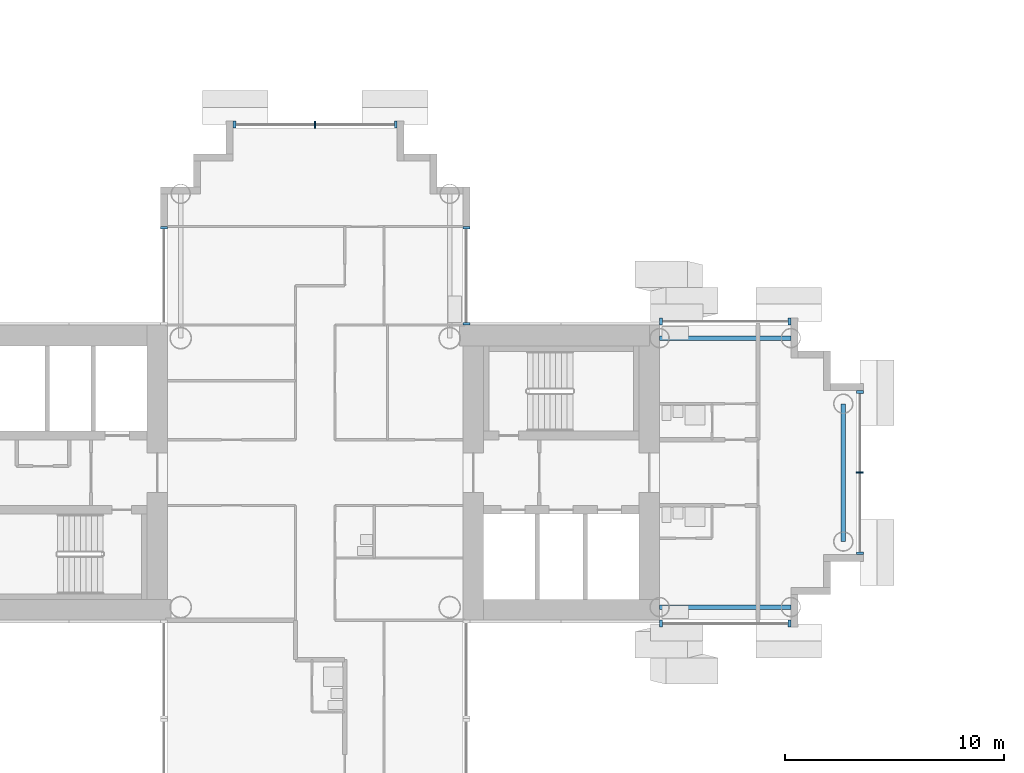
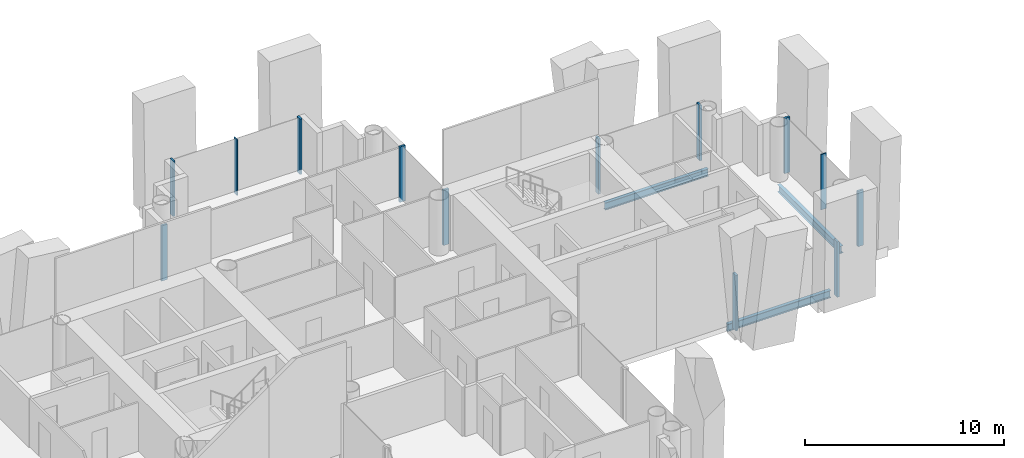
# One storey, part 4 of 20: 13 members, 3 beams, 6 elements without a shape of their own.
"""IFC4 building model written with IfcOpenShell, lengths in metres."""

from ifc_helpers import new_model, si_unit, direction, frame, origin, origin_2d, place, context, subcontext, project, spatial, rectangle, i_section, extrude, material, layer, layer_set, material_profile, profile_set, type_object, element, aggregate, save


model = new_model("IFC4")

# Units and contexts
model_context = context("Model", 3, precision=1e-05, world=origin(), true_north=direction((0.0, 1.0)))
body_context = subcontext(model_context, "Body", "Model", "MODEL_VIEW")
ifc_project = project(units=[si_unit("LENGTHUNIT", "METRE"), si_unit("AREAUNIT", "SQUARE_METRE"), si_unit("VOLUMEUNIT", "CUBIC_METRE"), si_unit("PLANEANGLEUNIT", "RADIAN"), si_unit("MASSUNIT", "GRAM", prefix="KILO")], contexts=[model_context])

# Site, building, storey
site_placement = place(None, origin())
site = spatial("IfcSite", under=ifc_project, at=site_placement, CompositionType="ELEMENT")
building_placement = place(site_placement, origin())
building = spatial("IfcBuilding", under=site, at=building_placement, Name="Ipe Terrace Towers", CompositionType="ELEMENT")
storey_placement = place(building_placement, frame((0.0, 0.0, 100.39990234375)))
storey = spatial("IfcBuildingStorey", under=building, at=storey_placement, Name="L27", CompositionType="ELEMENT", Elevation=100.39990234375)

# Beams
ifc_material_1 = material(Name="Steel S355", Category="steel")
ifc_material_profile_1 = material_profile(ifc_material_1, i_section(OverallWidth=0.199951171875, OverallDepth=0.449951171875, WebThickness=0.009033203125, FlangeThickness=0.013916015625, at=origin_2d()), Name="H-450x200x9x14")
ifc_profile_set_1 = profile_set([ifc_material_profile_1], Name="Steel S355")
beam_type = type_object("IfcBeamType", Name="H08 EDGE BEAM H-450x200x9x14", PredefinedType="BEAM", material=ifc_profile_set_1)
for number, where, z_axis, x_axis, name in (
    (1, (-20.25, -6.14990234375, -0.625), (1.0, 0.0, 0.0), (0.0, 1.0, 0.0), "Edge beam T1-EB-A01-A03"),
    (2, (-20.25, 6.14990234375, -0.625), (1.0, 0.0, 0.0), (0.0, 1.0, 0.0), "Edge beam T1-EB-A02-A04"),
):
    element("IfcBeam", number, at=place(storey_placement, frame(where, z_axis=z_axis, x_axis=x_axis)), inside=storey, type_object=beam_type, Name=name, PredefinedType="BEAM", context=body_context, shape_type="SweptSolid", body=[
        extrude(i_section(OverallWidth=0.199951171875, OverallDepth=0.449951171875, WebThickness=0.009033203125, FlangeThickness=0.013916015625, at=origin_2d()), origin(), (0.0, 0.0, 1.0), 6.0),
    ])
beam_placement = place(storey_placement, frame((-11.85009765625, -3.14990234375, -0.625), z_axis=(0.0, 1.0, 0.0), x_axis=(-1.0, 0.0, 0.0)))
element("IfcBeam", 3, at=beam_placement, inside=storey, type_object=beam_type, Name="Edge beam T1-EB-A05-A06", PredefinedType="BEAM", context=body_context, shape_type="SweptSolid", body=[
    extrude(i_section(OverallWidth=0.199951171875, OverallDepth=0.449951171875, WebThickness=0.009033203125, FlangeThickness=0.013916015625, at=origin_2d()), origin(), (0.0, 0.0, 1.0), 6.2998046875),
])

# Curtain wall, members
ifc_material_2 = material(Name="Aluminium alloy 6063-T6", Category="aluminium")
ifc_layer = layer(ifc_material_2, 0.320068359375)
ifc_layer_set = layer_set([ifc_layer], Name="TOWER UNITISED CURTAIN WALL")
curtain_wall_type = type_object("IfcCurtainWallType", Name="TOWER UNITISED CURTAIN WALL", PredefinedType="NOTDEFINED", material=ifc_layer_set)
curtain_wall_1_placement = place(storey_placement, origin())
curtain_wall_1 = element("IfcCurtainWall", 4, at=curtain_wall_1_placement, inside=storey, type_object=curtain_wall_type, Name="T1-CW-L27-20b curtain wall", PredefinedType="NOTDEFINED")
ifc_material_3 = material(Name="Aluminium alloy 6063-T6", Category="aluminium")
ifc_material_profile_2 = material_profile(ifc_material_3, rectangle(XDim=0.320068359375, YDim=0.1201171875, at=origin_2d()), Name="TOWER UNITISED CORNER MULLION 320 x 120")
ifc_profile_set_2 = profile_set([ifc_material_profile_2], Name="Aluminium alloy 6063-T6")
member_type_1 = type_object("IfcMemberType", Name="TOWER UNITISED CORNER MULLION 320 x 120", PredefinedType="MULLION", material=ifc_profile_set_2)
member_1_placement = place(storey_placement, frame((-20.18896484375, -6.909912109375, -0.2998046875), z_axis=(0.0, 0.0, 1.0), x_axis=(0.0, -1.0, 0.0)))
member_1 = element("IfcMember", 5, at=member_1_placement, type_object=member_type_1, Name="T1-CW-L27-20b mullion 1", PredefinedType="MULLION", context=body_context, shape_type="SweptSolid", body=[
    extrude(rectangle(XDim=0.320068359375, YDim=0.1201171875, at=origin_2d()), origin(), (0.0, 0.0, 1.0), 3.39990234375),
])
member_2_placement = place(storey_placement, frame((-14.31005859375, -6.909912109375, -0.2998046875), z_axis=(0.0, 0.0, 1.0), x_axis=(0.0, -1.0, 0.0)))
member_2 = element("IfcMember", 6, at=member_2_placement, type_object=member_type_1, Name="T1-CW-L27-20b mullion 2", PredefinedType="MULLION", context=body_context, shape_type="SweptSolid", body=[
    extrude(rectangle(XDim=0.320068359375, YDim=0.1201171875, at=origin_2d()), origin(), (0.0, 0.0, 1.0), 3.39990234375),
])
aggregate(curtain_wall_1, [member_1, member_2])

curtain_wall_2_placement = place(storey_placement, origin())
curtain_wall_2 = element("IfcCurtainWall", 7, at=curtain_wall_2_placement, inside=storey, type_object=curtain_wall_type, Name="T1-CW-L27-25a curtain wall", PredefinedType="NOTDEFINED")
member_3_placement = place(storey_placement, frame((-11.090087890625, -3.68994140625, -0.2998046875), z_axis=(0.0, 0.0, 1.0), x_axis=(1.0, 0.0, 0.0)))
member_3 = element("IfcMember", 8, at=member_3_placement, type_object=member_type_1, Name="T1-CW-L27-25a mullion 1", PredefinedType="MULLION", context=body_context, shape_type="SweptSolid", body=[
    extrude(rectangle(XDim=0.320068359375, YDim=0.1201171875, at=origin_2d()), origin(), (0.0, 0.0, 1.0), 3.39990234375),
])
member_4_placement = place(storey_placement, frame((-11.090087890625, 3.68994140625, -0.2998046875), z_axis=(0.0, 0.0, 1.0), x_axis=(1.0, 0.0, 0.0)))
member_4 = element("IfcMember", 9, at=member_4_placement, type_object=member_type_1, Name="T1-CW-L27-25a mullion 3", PredefinedType="MULLION", context=body_context, shape_type="SweptSolid", body=[
    extrude(rectangle(XDim=0.320068359375, YDim=0.1201171875, at=origin_2d()), origin(), (0.0, 0.0, 1.0), 3.39990234375),
])

curtain_wall_3_placement = place(storey_placement, origin())
curtain_wall_3 = element("IfcCurtainWall", 10, at=curtain_wall_3_placement, inside=storey, type_object=curtain_wall_type, Name="T1-CW-L27-30a curtain wall", PredefinedType="NOTDEFINED")
member_5_placement = place(storey_placement, frame((-14.31005859375, 6.909912109375, -0.2998046875), z_axis=(0.0, 0.0, 1.0), x_axis=(0.0, 1.0, 0.0)))
member_5 = element("IfcMember", 11, at=member_5_placement, type_object=member_type_1, Name="T1-CW-L27-30a mullion 1", PredefinedType="MULLION", context=body_context, shape_type="SweptSolid", body=[
    extrude(rectangle(XDim=0.320068359375, YDim=0.1201171875, at=origin_2d()), origin(), (0.0, 0.0, 1.0), 3.39990234375),
])
member_6_placement = place(storey_placement, frame((-20.18896484375, 6.909912109375, -0.2998046875), z_axis=(0.0, 0.0, 1.0), x_axis=(0.0, 1.0, 0.0)))
member_6 = element("IfcMember", 12, at=member_6_placement, type_object=member_type_1, Name="T1-CW-L27-30a mullion 2", PredefinedType="MULLION", context=body_context, shape_type="SweptSolid", body=[
    extrude(rectangle(XDim=0.320068359375, YDim=0.1201171875, at=origin_2d()), origin(), (0.0, 0.0, 1.0), 3.39990234375),
])
aggregate(curtain_wall_3, [member_5, member_6])

curtain_wall_4_placement = place(storey_placement, origin())
curtain_wall_4 = element("IfcCurtainWall", 13, at=curtain_wall_4_placement, inside=storey, type_object=curtain_wall_type, Name="T1-CW-L27-32a curtain wall", PredefinedType="NOTDEFINED")
member_7_placement = place(storey_placement, frame((-29.090087890625, 6.81005859375, -0.2998046875), z_axis=(0.0, 0.0, 1.0), x_axis=(1.0, 0.0, 0.0)))
member_7 = element("IfcMember", 14, at=member_7_placement, type_object=member_type_1, Name="T1-CW-L27-32a mullion 1", PredefinedType="MULLION", context=body_context, shape_type="SweptSolid", body=[
    extrude(rectangle(XDim=0.320068359375, YDim=0.1201171875, at=origin_2d()), origin(), (0.0, 0.0, 1.0), 3.39990234375),
])
member_8_placement = place(storey_placement, frame((-29.090087890625, 11.18994140625, -0.2998046875), z_axis=(0.0, 0.0, 1.0), x_axis=(1.0, 0.0, 0.0)))
member_8 = element("IfcMember", 15, at=member_8_placement, type_object=member_type_1, Name="T1-CW-L27-32a mullion 2", PredefinedType="MULLION", context=body_context, shape_type="SweptSolid", body=[
    extrude(rectangle(XDim=0.320068359375, YDim=0.1201171875, at=origin_2d()), origin(), (0.0, 0.0, 1.0), 3.39990234375),
])
aggregate(curtain_wall_4, [member_7, member_8])

curtain_wall_5_placement = place(storey_placement, origin())
curtain_wall_5 = element("IfcCurtainWall", 16, at=curtain_wall_5_placement, inside=storey, type_object=curtain_wall_type, Name="T1-CW-L27-38a curtain wall", PredefinedType="NOTDEFINED")
member_9_placement = place(storey_placement, frame((-32.31005859375, 15.909912109375, -0.2998046875), z_axis=(0.0, 0.0, 1.0), x_axis=(0.0, 1.0, 0.0)))
member_9 = element("IfcMember", 17, at=member_9_placement, type_object=member_type_1, Name="T1-CW-L27-38a mullion 1", PredefinedType="MULLION", context=body_context, shape_type="SweptSolid", body=[
    extrude(rectangle(XDim=0.320068359375, YDim=0.1201171875, at=origin_2d()), origin(), (0.0, 0.0, 1.0), 3.39990234375),
])
member_10_placement = place(storey_placement, frame((-39.68994140625, 15.909912109375, -0.2998046875), z_axis=(0.0, 0.0, 1.0), x_axis=(0.0, 1.0, 0.0)))
member_10 = element("IfcMember", 18, at=member_10_placement, type_object=member_type_1, Name="T1-CW-L27-38a mullion 3", PredefinedType="MULLION", context=body_context, shape_type="SweptSolid", body=[
    extrude(rectangle(XDim=0.320068359375, YDim=0.1201171875, at=origin_2d()), origin(), (0.0, 0.0, 1.0), 3.39990234375),
])

# Curtain wall, member
curtain_wall_6_placement = place(storey_placement, origin())
curtain_wall_6 = element("IfcCurtainWall", 19, at=curtain_wall_6_placement, inside=storey, type_object=curtain_wall_type, Name="T1-CW-L27-44a curtain wall", PredefinedType="NOTDEFINED")
member_11_placement = place(storey_placement, frame((-42.909912109375, 11.18994140625, -0.2998046875), z_axis=(0.0, 0.0, 1.0), x_axis=(-1.0, 0.0, 0.0)))
member_11 = element("IfcMember", 20, at=member_11_placement, type_object=member_type_1, Name="T1-CW-L27-44a mullion 1", PredefinedType="MULLION", context=body_context, shape_type="SweptSolid", body=[
    extrude(rectangle(XDim=0.320068359375, YDim=0.1201171875, at=origin_2d()), origin(), (0.0, 0.0, 1.0), 3.39990234375),
])
aggregate(curtain_wall_6, [member_11])

# Member
ifc_material_4 = material(Name="Aluminium alloy 6063-T6", Category="aluminium")
ifc_material_profile_3 = material_profile(ifc_material_4, rectangle(XDim=0.320068359375, YDim=0.06494140625, at=origin_2d()), Name="TOWER UNITISED MULLION 320 x 65")
ifc_profile_set_3 = profile_set([ifc_material_profile_3], Name="Aluminium alloy 6063-T6")
member_type_2 = type_object("IfcMemberType", Name="TOWER UNITISED MULLION 320 x 65", PredefinedType="MULLION", material=ifc_profile_set_3)
member_12_placement = place(storey_placement, frame((-11.090087890625, 0.0, -0.2998046875), z_axis=(0.0, 0.0, 1.0), x_axis=(1.0, 0.0, 0.0)))
member_12 = element("IfcMember", 21, at=member_12_placement, type_object=member_type_2, Name="T1-CW-L27-25a mullion 2", PredefinedType="MULLION", context=body_context, shape_type="SweptSolid", body=[
    extrude(rectangle(XDim=0.320068359375, YDim=0.06494140625, at=origin_2d()), origin(), (0.0, 0.0, 1.0), 3.39990234375),
])

aggregate(curtain_wall_2, [member_3, member_12, member_4])

member_13_placement = place(storey_placement, frame((-36.0, 15.909912109375, -0.2998046875), z_axis=(0.0, 0.0, 1.0), x_axis=(0.0, 1.0, 0.0)))
member_13 = element("IfcMember", 22, at=member_13_placement, type_object=member_type_2, Name="T1-CW-L27-38a mullion 2", PredefinedType="MULLION", context=body_context, shape_type="SweptSolid", body=[
    extrude(rectangle(XDim=0.320068359375, YDim=0.06494140625, at=origin_2d()), origin(), (0.0, 0.0, 1.0), 3.39990234375),
])

aggregate(curtain_wall_5, [member_9, member_13, member_10])

save(model, "model.ifc")
